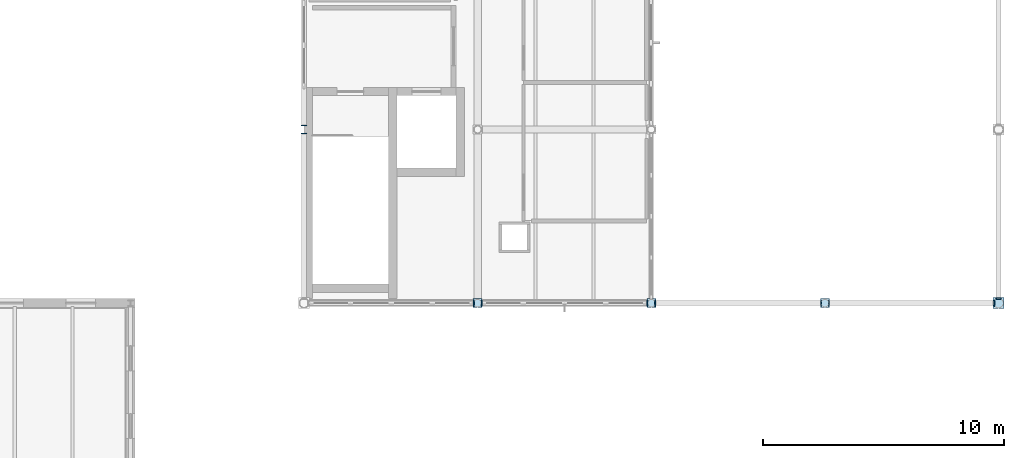
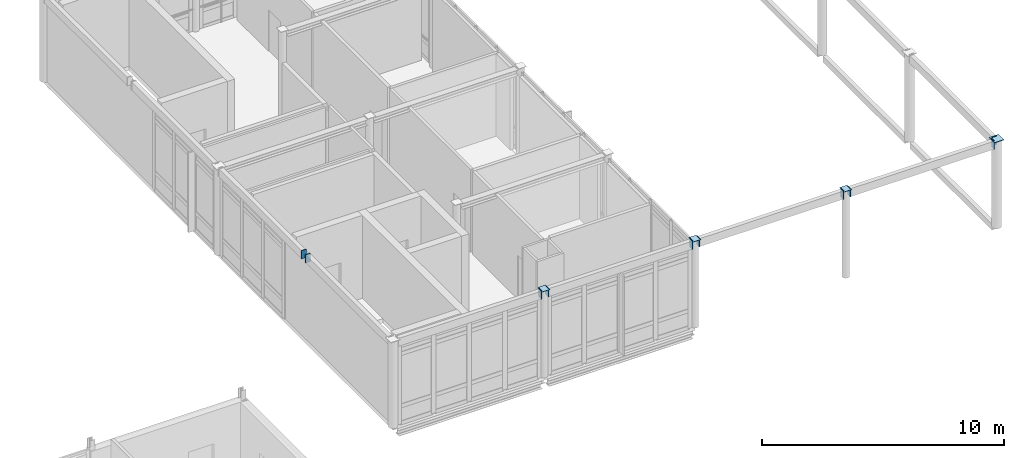
# One storey, part 45 of 72: 14 plates.
"""IFC4 building model written with IfcOpenShell, lengths in metres."""

from ifc_helpers import new_model, si_unit, direction, frame, origin, origin_2d, place, context, subcontext, project, spatial, rectangle, extrude, material, layer, layer_set, type_object, element, save


model = new_model("IFC4")

# Units and contexts
model_context = context("Model", 3, precision=1e-05, world=origin(), true_north=direction((0.0, 1.0)))
body_context = subcontext(model_context, "Body", "Model", "MODEL_VIEW")
ifc_project = project(units=[si_unit("LENGTHUNIT", "METRE"), si_unit("AREAUNIT", "SQUARE_METRE"), si_unit("VOLUMEUNIT", "CUBIC_METRE"), si_unit("PLANEANGLEUNIT", "RADIAN"), si_unit("MASSUNIT", "GRAM", prefix="KILO")], contexts=[model_context])

# Site, building, storey
site_placement = place(None, origin())
site = spatial("IfcSite", under=ifc_project, at=site_placement, CompositionType="ELEMENT")
building_placement = place(site_placement, origin())
building = spatial("IfcBuilding", under=site, at=building_placement, Name="Zarrinpeak Specialist Clinic", CompositionType="ELEMENT")
storey_placement = place(building_placement, frame((0.0, 0.0, 9.60009765625)))
storey = spatial("IfcBuildingStorey", under=building, at=storey_placement, Name="L02", CompositionType="ELEMENT", Elevation=9.60009765625)

# Plates
ifc_material = material(Name="Steel S355", Category="steel")
ifc_layer_1 = layer(ifc_material, 0.031982421875)
ifc_layer_set_1 = layer_set([ifc_layer_1], Name="Steel S355")
plate_type_1 = type_object("IfcPlateType", Name="PL-BP450", PredefinedType="SHEET", material=ifc_layer_set_1)
for number, where, z_axis, x_axis, name in (
    (1, (100.632080078125, 28.800048828125, 4.0), (0.0, 0.0, 1.0), (1.0, 0.0, 0.0), "V3 Ring Beam Sealed End-Cap Plate RBCAP-02"),
    (2, (100.968017578125, 28.800048828125, 4.0), (0.0, 0.0, 1.0), (1.0, 0.0, 0.0), "V3 Ring Beam Sealed End-Cap Plate RBCAP-03"),
    (3, (107.83203125, 28.800048828125, 4.0), (0.0, 0.0, 1.0), (1.0, 0.0, 0.0), "V3 Ring Beam Sealed End-Cap Plate RBCAP-04"),
    (4, (108.16796875, 28.800048828125, 4.0), (0.0, 0.0, 1.0), (1.0, 0.0, 0.0), "V3 Ring Beam Sealed End-Cap Plate RBCAP-05"),
    (5, (115.031982421875, 28.800048828125, 4.0), (0.0, 0.0, 1.0), (1.0, 0.0, 0.0), "V3 Ring Beam Sealed End-Cap Plate RBCAP-06"),
    (6, (115.367919921875, 28.800048828125, 4.0), (0.0, 0.0, 1.0), (1.0, 0.0, 0.0), "V3 Ring Beam Sealed End-Cap Plate RBCAP-07"),
    (7, (122.23193359375, 28.800048828125, 4.0), (0.0, 0.0, 1.0), (1.0, 0.0, 0.0), "V3 Ring Beam Sealed End-Cap Plate RBCAP-08"),
):
    element("IfcPlate", number, at=place(storey_placement, frame(where, z_axis=z_axis, x_axis=x_axis)), inside=storey, type_object=plate_type_1, Name=name, PredefinedType="SHEET", context=body_context, shape_type="SweptSolid", body=[
        extrude(rectangle(XDim=0.031982421875, YDim=0.239990234375, at=origin_2d()), origin(), (0.0, 0.0, 1.0), 0.419921875),
    ])
for number, where, z_axis, x_axis, name in (
    (8, (93.60009765625, 35.83203125, 4.0), (0.0, 0.0, 1.0), (1.0, 0.0, 0.0), "V3 Ring Beam Sealed End-Cap Plate RBCAP-18"),
    (9, (93.60009765625, 36.16796875, 4.0), (0.0, 0.0, 1.0), (1.0, 0.0, 0.0), "V3 Ring Beam Sealed End-Cap Plate RBCAP-19"),
    (10, (122.39990234375, 28.968017578125, 4.0), (0.0, 0.0, 1.0), (1.0, 0.0, 0.0), "V3 Ring Beam Sealed End-Cap Plate RBCAP-29"),
):
    element("IfcPlate", number, at=place(storey_placement, frame(where, z_axis=z_axis, x_axis=x_axis)), inside=storey, type_object=plate_type_1, Name=name, PredefinedType="SHEET", context=body_context, shape_type="SweptSolid", body=[
        extrude(rectangle(XDim=0.239990234375, YDim=0.031982421875, at=origin_2d()), origin(), (0.0, 0.0, 1.0), 0.419921875),
    ])
ifc_layer_2 = layer(ifc_material, 0.02001953125)
ifc_layer_set_2 = layer_set([ifc_layer_2], Name="Steel S355")
plate_type_2 = type_object("IfcPlateType", Name="PL-CAP324", PredefinedType="SHEET", material=ifc_layer_set_2)
for number, where, z_axis, x_axis, name in (
    (11, (100.800048828125, 28.800048828125, 4.39599609375), (0.0, 0.0, 1.0), (1.0, 0.0, 0.0), "L02 Hollow Column Top Cap Plate CCAP-T-102"),
    (12, (108.0, 28.800048828125, 4.39599609375), (0.0, 0.0, 1.0), (1.0, 0.0, 0.0), "L02 Hollow Column Top Cap Plate CCAP-T-108"),
    (13, (115.199951171875, 28.800048828125, 4.39599609375), (0.0, 0.0, 1.0), (1.0, 0.0, 0.0), "L02 Hollow Column Top Cap Plate CCAP-T-114"),
):
    element("IfcPlate", number, at=place(storey_placement, frame(where, z_axis=z_axis, x_axis=x_axis)), inside=storey, type_object=plate_type_2, Name=name, PredefinedType="SHEET", context=body_context, shape_type="SweptSolid", body=[
        extrude(rectangle(XDim=0.3701171875, YDim=0.3701171875, at=origin_2d()), origin(), (0.0, 0.0, 1.0), 0.02001953125),
    ])
ifc_layer_3 = layer(ifc_material, 0.02197265625)
ifc_layer_set_3 = layer_set([ifc_layer_3], Name="Steel S355")
plate_type_3 = type_object("IfcPlateType", Name="PL-CAP406", PredefinedType="SHEET", material=ifc_layer_set_3)
plate_placement = place(storey_placement, frame((122.39990234375, 28.800048828125, 4.39599609375), z_axis=(0.0, 0.0, 1.0), x_axis=(1.0, 0.0, 0.0)))
element("IfcPlate", 14, at=plate_placement, inside=storey, type_object=plate_type_3, Name="L02 Hollow Column Top Cap Plate CCAP-T-116", PredefinedType="SHEET", context=body_context, shape_type="SweptSolid", body=[
    extrude(rectangle(XDim=0.449951171875, YDim=0.449951171875, at=origin_2d()), origin(), (0.0, 0.0, 1.0), 0.02197265625),
])

save(model, "model.ifc")
